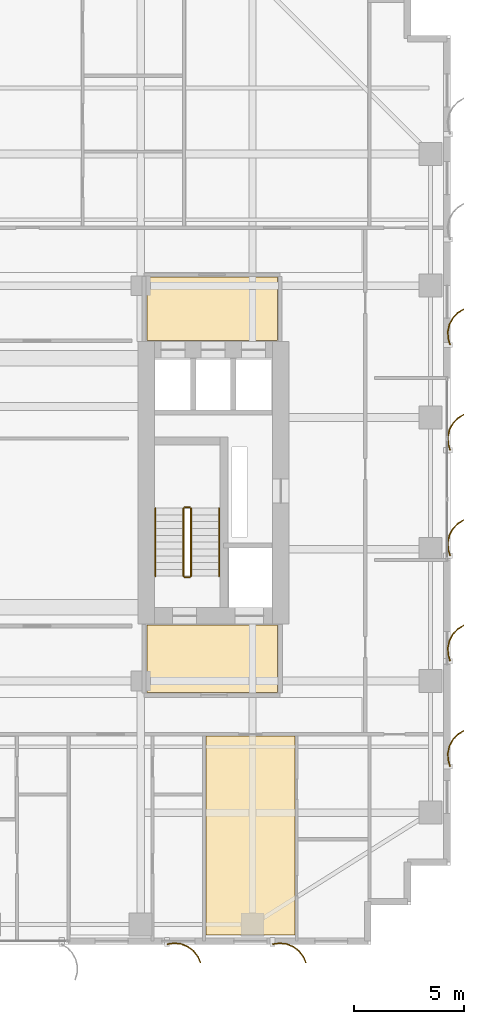
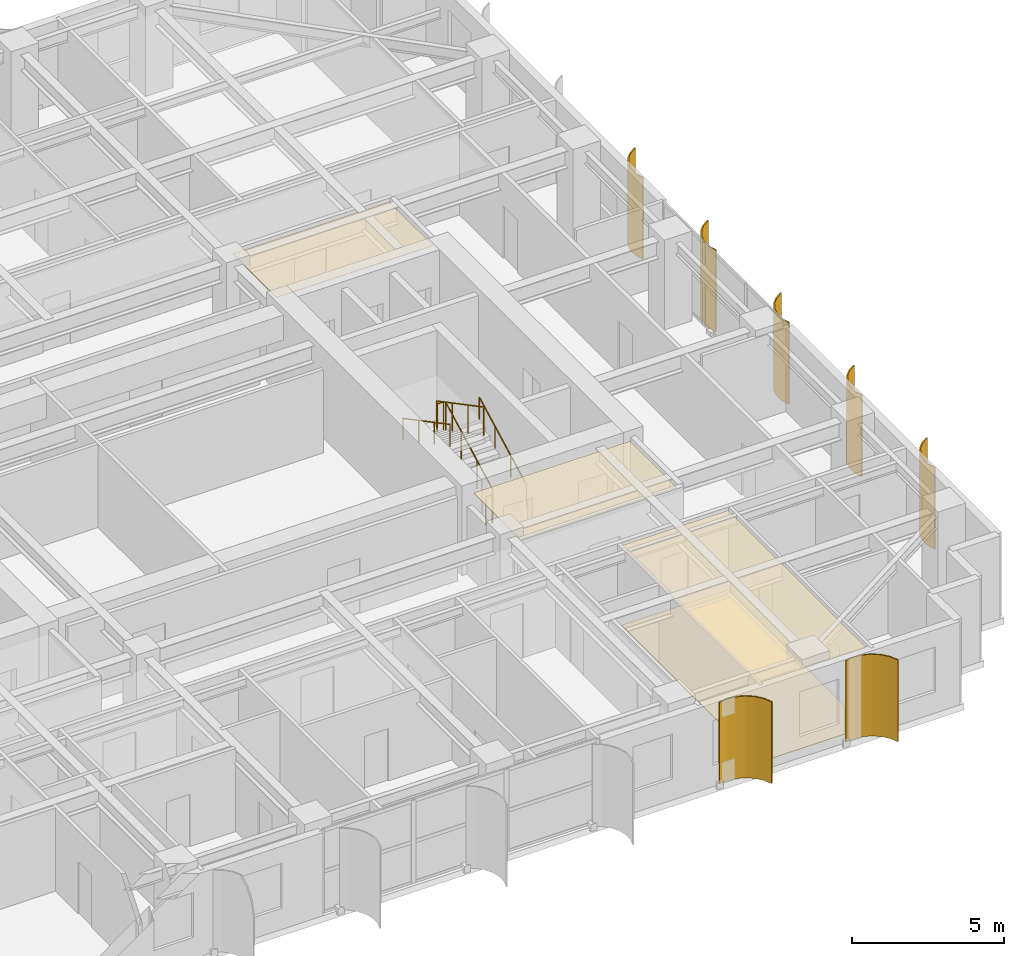
# One storey, part 21 of 22: 7 shading devices, 6 railings, 4 coverings.
"""IFC4 building model written with IfcOpenShell, lengths in metres."""

from ifc_helpers import new_model, si_unit, direction, frame, origin, origin_2d, place, context, subcontext, project, spatial, polyline, circle, outline, extrude, source, transform, mapped, material, layer, layer_set, type_object, element, save


model = new_model("IFC4")

# Units and contexts
model_context = context("Model", 3, precision=1e-05, world=origin(), true_north=direction((0.0, 1.0)))
body_context = subcontext(model_context, "Body", "Model", "MODEL_VIEW")
ifc_project = project(units=[si_unit("LENGTHUNIT", "METRE"), si_unit("AREAUNIT", "SQUARE_METRE"), si_unit("VOLUMEUNIT", "CUBIC_METRE"), si_unit("PLANEANGLEUNIT", "RADIAN"), si_unit("MASSUNIT", "GRAM", prefix="KILO")], contexts=[model_context])

# Site, building, storey
site_placement = place(None, origin())
site = spatial("IfcSite", under=ifc_project, at=site_placement, CompositionType="ELEMENT")
building_placement = place(site_placement, origin())
building = spatial("IfcBuilding", under=site, at=building_placement, Name="Khoralis Quay Care Tower", CompositionType="ELEMENT")
storey_placement = place(building_placement, frame((0.0, 0.0, 98.10009765625)))
storey = spatial("IfcBuildingStorey", under=building, at=storey_placement, Name="L25", CompositionType="ELEMENT", Elevation=98.10009765625)

# Coverings
ifc_material_1 = material(Name="Mineral-fibre acoustic ceiling tile")
ifc_layer_1 = layer(ifc_material_1, 0.01806640625)
ifc_layer_set_1 = layer_set([ifc_layer_1], Name="Mineral-fibre acoustic ceiling tile")
covering_type_1 = type_object("IfcCoveringType", Name="COV-CEIL-AC18", PredefinedType="CEILING", material=ifc_layer_set_1)
covering_1_placement = place(storey_placement, frame((0.0, 0.0, 3.19189453125)))
element("IfcCovering", 1, at=covering_1_placement, inside=storey, type_object=covering_type_1, Name="Suspended Acoustic Ceiling SP-L25-FFLOB-E", PredefinedType="CEILING", context=body_context, shape_type="SweptSolid", body=[
    extrude(outline(polyline([(31.179931640625, 11.47998046875), (37.1201171875, 11.47998046875), (37.1201171875, 14.550048828125), (31.179931640625, 14.550048828125), (31.179931640625, 11.47998046875)])), origin(), (0.0, 0.0, 1.0), 0.01806640625),
])
covering_2_placement = place(storey_placement, frame((0.0, 0.0, 3.19189453125)))
element("IfcCovering", 2, at=covering_2_placement, inside=storey, type_object=covering_type_1, Name="Suspended Acoustic Ceiling SP-L25-LLOB-E", PredefinedType="CEILING", context=body_context, shape_type="SweptSolid", body=[
    extrude(outline(polyline([(31.179931640625, 27.5), (37.1201171875, 27.5), (37.1201171875, 30.389892578125), (31.179931640625, 30.389892578125), (31.179931640625, 27.5)])), origin(), (0.0, 0.0, 1.0), 0.01806640625),
])
covering_3_placement = place(storey_placement, frame((0.0, 0.0, 3.19189453125)))
element("IfcCovering", 3, at=covering_3_placement, inside=storey, type_object=covering_type_1, Name="Suspended Acoustic Ceiling SP-L25-SB-STU4", PredefinedType="CEILING", context=body_context, shape_type="SweptSolid", body=[
    extrude(outline(polyline([(33.8701171875, 0.419921875), (37.927001953125, 0.419921875), (37.927001953125, 9.5), (33.8701171875, 9.5), (33.8701171875, 0.419921875)])), origin(), (0.0, 0.0, 1.0), 0.01806640625),
])
ifc_material_2 = material(Name="Porcelain and non-slip vinyl flooring")
ifc_layer_2 = layer(ifc_material_2, 0.02001953125)
ifc_layer_set_2 = layer_set([ifc_layer_2], Name="Porcelain and non-slip vinyl flooring")
covering_type_2 = type_object("IfcCoveringType", Name="COV-FLOOR-20", PredefinedType="FLOORING", material=ifc_layer_set_2)
covering_4_placement = place(storey_placement, origin())
element("IfcCovering", 4, at=covering_4_placement, inside=storey, type_object=covering_type_2, Name="Resilient Healthcare Flooring SP-L25-SB-STU4", PredefinedType="FLOORING", context=body_context, shape_type="SweptSolid", body=[
    extrude(outline(polyline([(33.8701171875, 0.419921875), (37.927001953125, 0.419921875), (37.927001953125, 9.5), (33.8701171875, 9.5), (33.8701171875, 0.419921875)])), origin(), (0.0, 0.0, 1.0), 0.02001953125),
])

# Railings
ifc_material_3 = material(Name="Brushed stainless steel", Category="steel")
railing_type_1 = type_object("IfcRailingType", Name="RL-GUARD-1150", PredefinedType="GUARDRAIL", material=ifc_material_3)
railing_1_placement = place(storey_placement, frame((33.18994140625, 16.77001953125, 0.16357421875)))
element("IfcRailing", 5, at=railing_1_placement, inside=storey, type_object=railing_type_1, Name="L25 ST-T2 stair guard 1", PredefinedType="GUARDRAIL", context=body_context, shape_type="SweptSolid", body=[
    extrude(circle(Radius=0.02392578125, at=origin_2d()), frame((0.0, 0.0, 1.1259765625), z_axis=(0.0, 0.884376766648, 0.46677375099), x_axis=(-1.0, 0.0, 0.0)), (0.0, 0.0, 1.0), 3.50537109375),
    extrude(circle(Radius=0.02099609375, at=origin_2d()), origin(), (0.0, 0.0, 1.0), 1.101806640625),
    extrude(circle(Radius=0.02099609375, at=origin_2d()), frame((0.0, 1.033447265625, 0.54541015625)), (0.0, 0.0, 1.0), 1.101806640625),
    extrude(circle(Radius=0.02099609375, at=origin_2d()), frame((0.0, 2.066650390625, 1.0908203125)), (0.0, 0.0, 1.0), 1.101806640625),
    extrude(circle(Radius=0.02099609375, at=origin_2d()), frame((0.0, 3.10009765625, 1.63623046875)), (0.0, 0.0, 1.0), 1.101806640625),
])
railing_2_placement = place(storey_placement, frame((33.139892578125, 19.919921875, 1.7998046875)))
element("IfcRailing", 6, at=railing_2_placement, inside=storey, type_object=railing_type_1, Name="L25 ST-T2 stair guard 2", PredefinedType="GUARDRAIL", context=body_context, shape_type="SweptSolid", body=[
    extrude(circle(Radius=0.02392578125, at=origin_2d()), frame((0.0, 0.0, 1.1259765625), z_axis=(-1.0, 0.0, 0.0), x_axis=(0.0, -1.0, 0.0)), (0.0, 0.0, 1.0), 0.239990234375),
    extrude(circle(Radius=0.02099609375, at=origin_2d()), origin(), (0.0, 0.0, 1.0), 1.101806640625),
    extrude(circle(Radius=0.02099609375, at=origin_2d()), frame((-0.239990234375, 0.0, 0.0)), (0.0, 0.0, 1.0), 1.101806640625),
])
railing_3_placement = place(storey_placement, frame((32.85009765625, 19.8701171875, 1.963623046875)))
element("IfcRailing", 7, at=railing_3_placement, inside=storey, type_object=railing_type_1, Name="L25 ST-T2 stair guard 3", PredefinedType="GUARDRAIL", context=body_context, shape_type="SweptSolid", body=[
    extrude(circle(Radius=0.02392578125, at=origin_2d()), frame((0.0, 0.0, 1.1259765625), z_axis=(0.0, -0.884376766648, 0.46677375099), x_axis=(1.0, 0.0, 0.0)), (0.0, 0.0, 1.0), 3.50537109375),
    extrude(circle(Radius=0.02099609375, at=origin_2d()), origin(), (0.0, 0.0, 1.0), 1.101806640625),
    extrude(circle(Radius=0.02099609375, at=origin_2d()), frame((0.0, -1.033447265625, 0.54541015625)), (0.0, 0.0, 1.0), 1.101806640625),
    extrude(circle(Radius=0.02099609375, at=origin_2d()), frame((0.0, -2.066650390625, 1.0908203125)), (0.0, 0.0, 1.0), 1.101806640625),
    extrude(circle(Radius=0.02099609375, at=origin_2d()), frame((0.0, -3.10009765625, 1.63623046875)), (0.0, 0.0, 1.0), 1.101806640625),
])
railing_4_placement = place(storey_placement, frame((33.139892578125, 16.719970703125, 0.0)))
element("IfcRailing", 8, at=railing_4_placement, inside=storey, type_object=railing_type_1, Name="L25 ST-T2 stair guard 4", PredefinedType="GUARDRAIL", context=body_context, shape_type="SweptSolid", body=[
    extrude(circle(Radius=0.02392578125, at=origin_2d()), frame((0.0, 0.0, 1.1259765625), z_axis=(-1.0, 0.0, 0.0), x_axis=(0.0, -1.0, 0.0)), (0.0, 0.0, 1.0), 0.239990234375),
    extrude(circle(Radius=0.02099609375, at=origin_2d()), origin(), (0.0, 0.0, 1.0), 1.101806640625),
    extrude(circle(Radius=0.02099609375, at=origin_2d()), frame((-0.239990234375, 0.0, 0.0)), (0.0, 0.0, 1.0), 1.101806640625),
])
railing_type_2 = type_object("IfcRailingType", Name="RL-HAND-900", PredefinedType="HANDRAIL", material=ifc_material_3)
railing_5_placement = place(storey_placement, frame((34.469970703125, 16.77001953125, 0.16357421875)))
element("IfcRailing", 9, at=railing_5_placement, inside=storey, type_object=railing_type_2, Name="L25 ST-T2 stair handrail 1", PredefinedType="HANDRAIL", context=body_context, shape_type="SweptSolid", body=[
    extrude(circle(Radius=0.02392578125, at=origin_2d()), frame((0.0, 0.0, 0.8759765625), z_axis=(0.0, 0.884376766648, 0.46677375099), x_axis=(-1.0, 0.0, 0.0)), (0.0, 0.0, 1.0), 3.50537109375),
    extrude(circle(Radius=0.02099609375, at=origin_2d()), origin(), (0.0, 0.0, 1.0), 0.851806640625),
    extrude(circle(Radius=0.02099609375, at=origin_2d()), frame((0.0, 1.033447265625, 0.54541015625)), (0.0, 0.0, 1.0), 0.851806640625),
    extrude(circle(Radius=0.02099609375, at=origin_2d()), frame((0.0, 2.066650390625, 1.0908203125)), (0.0, 0.0, 1.0), 0.851806640625),
    extrude(circle(Radius=0.02099609375, at=origin_2d()), frame((0.0, 3.10009765625, 1.63623046875)), (0.0, 0.0, 1.0), 0.851806640625),
])
railing_6_placement = place(storey_placement, frame((31.570068359375, 19.8701171875, 1.963623046875)))
element("IfcRailing", 10, at=railing_6_placement, inside=storey, type_object=railing_type_2, Name="L25 ST-T2 stair handrail 2", PredefinedType="HANDRAIL", context=body_context, shape_type="SweptSolid", body=[
    extrude(circle(Radius=0.02392578125, at=origin_2d()), frame((0.0, 0.0, 0.8759765625), z_axis=(0.0, -0.884376766648, 0.46677375099), x_axis=(1.0, 0.0, 0.0)), (0.0, 0.0, 1.0), 3.50537109375),
    extrude(circle(Radius=0.02099609375, at=origin_2d()), origin(), (0.0, 0.0, 1.0), 0.851806640625),
    extrude(circle(Radius=0.02099609375, at=origin_2d()), frame((0.0, -1.033447265625, 0.54541015625)), (0.0, 0.0, 1.0), 0.851806640625),
    extrude(circle(Radius=0.02099609375, at=origin_2d()), frame((0.0, -2.066650390625, 1.0908203125)), (0.0, 0.0, 1.0), 0.851806640625),
    extrude(circle(Radius=0.02099609375, at=origin_2d()), frame((0.0, -3.10009765625, 1.63623046875)), (0.0, 0.0, 1.0), 0.851806640625),
])

# Shading devices
ifc_material_4 = material(Name="Brushed pale anodised aluminium", Category="aluminium")
ifc_layer_3 = layer(ifc_material_4, 0.044921875)
ifc_layer_set_3 = layer_set([ifc_layer_3], Name="Brushed pale anodised aluminium")
shading_device_type = type_object("IfcShadingDeviceType", Name="SHD-FIN-1250", PredefinedType="USERDEFINED", material=ifc_layer_set_3)
shared_shape_1 = source(origin(), body_context, "Body", "SweptSolid", [
    extrude(outline(polyline([(0.0, 0.0), (-0.04833984375, 0.32275390625), (-0.01123046875, 0.64697265625), (0.1083984375, 0.950439453125), (0.302490234375, 1.212890625), (0.557861328125, 1.416015625), (0.85693359375, 1.546142578125), (0.869384765625, 1.5029296875), (0.5810546875, 1.37744140625), (0.334716796875, 1.181640625), (0.147705078125, 0.9287109375), (0.032470703125, 0.635986328125), (-0.003173828125, 0.323486328125), (0.043212890625, 0.012451171875), (0.0, 0.0)])), origin(), (0.0, 0.0, 1.0), 3.27978515625),
])
for number, where, z_axis, x_axis, name in (
    (11, (32.10009765625, 0.030029296875, 0.02001953125), (0.0, 0.0, 1.0), (0.0, -1.0, 0.0), "L25 Curved Solar Fin P1E0-06"),
    (12, (36.89990234375, 0.030029296875, 0.02001953125), (0.0, 0.0, 1.0), (0.0, -1.0, 0.0), "L25 Curved Solar Fin P1E0-07"),
):
    element("IfcShadingDevice", number, at=place(storey_placement, frame(where, z_axis=z_axis, x_axis=x_axis)), inside=storey, type_object=shading_device_type, Name=name, ObjectType="FIN", PredefinedType="USERDEFINED", context=body_context, shape_type="MappedRepresentation", body=[
        mapped(shared_shape_1, transform((0.0, 0.0, 0.0), scale=1.0)),
    ])
shared_shape_2 = source(origin(), body_context, "Body", "SweptSolid", [
    extrude(outline(polyline([(0.0, 0.0), (-0.0927734375, 0.31298828125), (-0.101318359375, 0.63916015625), (-0.025146484375, 0.956298828125), (0.130615234375, 1.2431640625), (0.355224609375, 1.479736328125), (0.633544921875, 1.650390625), (0.65185546875, 1.609130859375), (0.383544921875, 1.44482421875), (0.1669921875, 1.216796875), (0.01708984375, 0.940185546875), (-0.056396484375, 0.63427734375), (-0.04833984375, 0.31982421875), (0.041015625, 0.018310546875), (0.0, 0.0)])), origin(), (0.0, 0.0, 1.0), 3.27978515625),
])
for number, where, z_axis, x_axis, name in (
    (13, (44.969970703125, 8.10009765625, 0.02001953125), (0.0, 0.0, 1.0), (1.0, 0.0, 0.0), "L25 Curved Solar Fin P1E5-01"),
    (14, (44.969970703125, 12.89990234375, 0.02001953125), (0.0, 0.0, 1.0), (1.0, 0.0, 0.0), "L25 Curved Solar Fin P1E5-02"),
    (15, (44.969970703125, 17.699951171875, 0.02001953125), (0.0, 0.0, 1.0), (1.0, 0.0, 0.0), "L25 Curved Solar Fin P1E5-03"),
    (16, (44.969970703125, 22.5, 0.02001953125), (0.0, 0.0, 1.0), (1.0, 0.0, 0.0), "L25 Curved Solar Fin P1E5-04"),
    (17, (44.969970703125, 27.300048828125, 0.02001953125), (0.0, 0.0, 1.0), (1.0, 0.0, 0.0), "L25 Curved Solar Fin P1E5-05"),
):
    element("IfcShadingDevice", number, at=place(storey_placement, frame(where, z_axis=z_axis, x_axis=x_axis)), inside=storey, type_object=shading_device_type, Name=name, ObjectType="FIN", PredefinedType="USERDEFINED", context=body_context, shape_type="MappedRepresentation", body=[
        mapped(shared_shape_2, transform((0.0, 0.0, 0.0), scale=1.0)),
    ])

save(model, "model.ifc")
